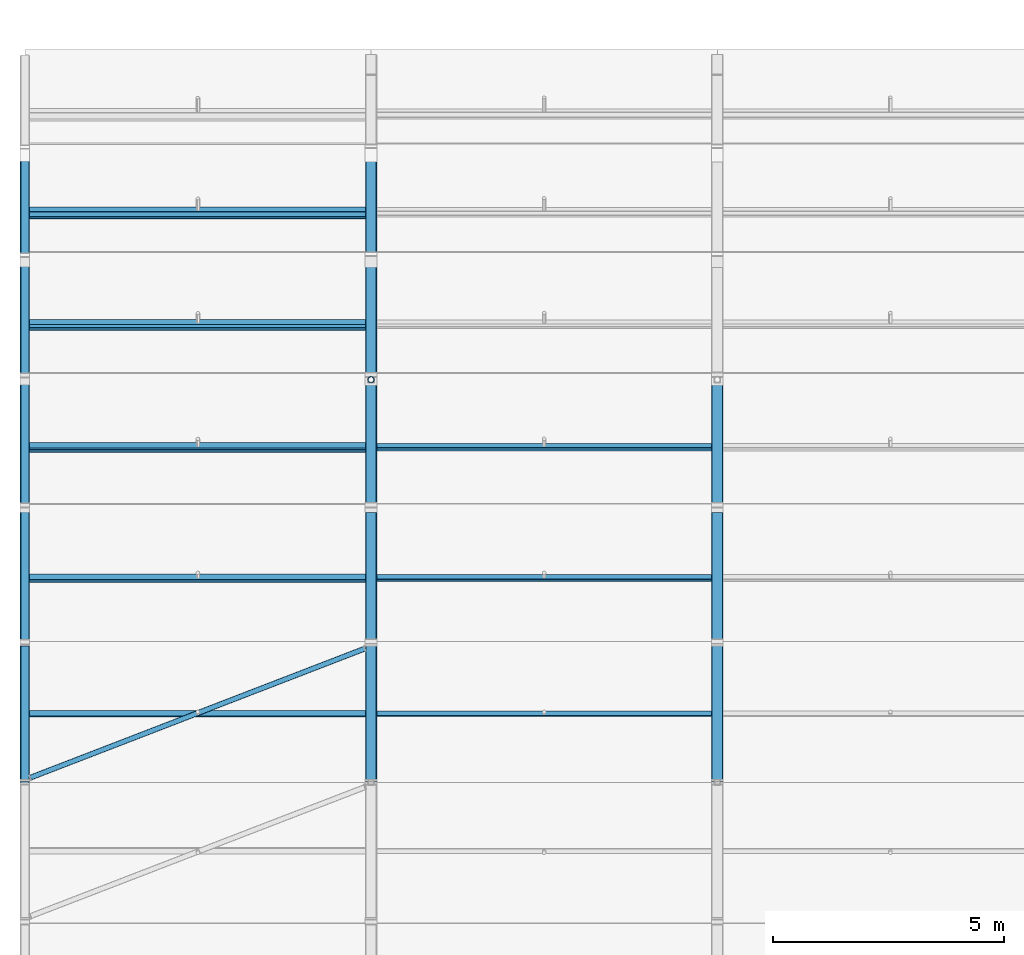
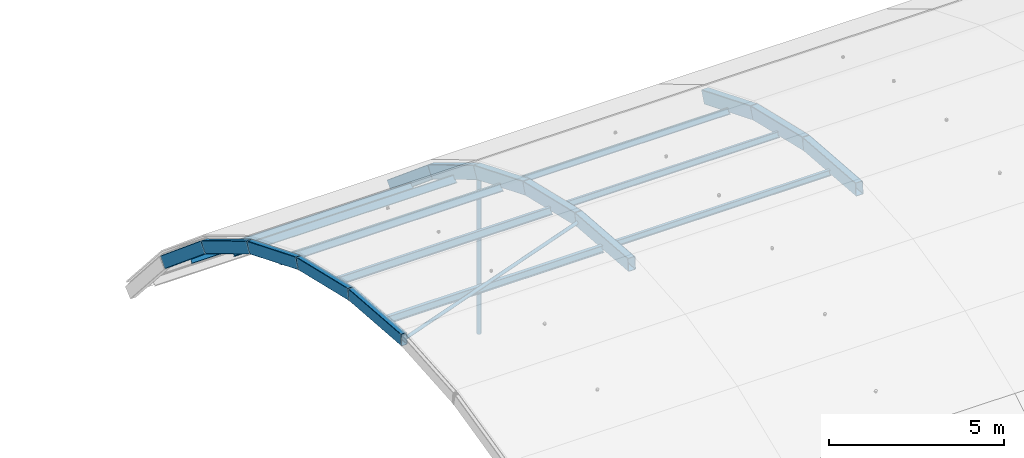
# One storey, part 15 of 77: 13 beams, 10 members.
"""IFC4 building model written with IfcOpenShell, lengths in metres."""

from ifc_helpers import new_model, si_unit, direction, frame, origin, origin_2d, place, context, subcontext, project, spatial, hollow_rectangle, hollow_circle, i_section, extrude, material, material_profile, profile_set, type_object, element, save


model = new_model("IFC4")

# Units and contexts
model_context = context("Model", 3, precision=1e-05, world=origin(), true_north=direction((0.0, 1.0)))
body_context = subcontext(model_context, "Body", "Model", "MODEL_VIEW")
ifc_project = project(units=[si_unit("LENGTHUNIT", "METRE"), si_unit("AREAUNIT", "SQUARE_METRE"), si_unit("VOLUMEUNIT", "CUBIC_METRE"), si_unit("PLANEANGLEUNIT", "RADIAN"), si_unit("MASSUNIT", "GRAM", prefix="KILO")], contexts=[model_context])

# Site, building, storey
site_placement = place(None, origin())
site = spatial("IfcSite", under=ifc_project, at=site_placement, CompositionType="ELEMENT")
building_placement = place(site_placement, origin())
building = spatial("IfcBuilding", under=site, at=building_placement, Name="Yukiwa Park Conservatory and Herbarium", CompositionType="ELEMENT")
storey_placement = place(building_placement, frame((0.0, 0.0, 13.199951171875)))
storey = spatial("IfcBuildingStorey", under=building, at=storey_placement, Name="L03", CompositionType="ELEMENT", Elevation=13.199951171875)

# Beams
ifc_material_1 = material(Name="Steel Q355D", Category="steel")
ifc_material_profile_1 = material_profile(ifc_material_1, hollow_rectangle(XDim=0.25, YDim=0.449951171875, WallThickness=0.013916015625, InnerFilletRadius=0.013916015625, OuterFilletRadius=0.028076171875, at=origin_2d()), Name="RHS 450x250x14")
ifc_profile_set_1 = profile_set([ifc_material_profile_1], Name="Steel Q355D")
beam_type_1 = type_object("IfcBeamType", Name="BM-VLT-ARCH450", PredefinedType="BEAM", material=ifc_profile_set_1)
for number, where, z_axis, x_axis, name in (
    (1, (7.5, 15.60009765625, 3.60009765625), (0.0, 0.997015721433, -0.077198777292), (-1.0, 0.0, 0.0), "Conservatory barrel vault arch rib 2 chord 7"),
    (2, (7.5, 18.601806640625, 3.36767578125), (0.0, 0.973254208946, -0.22973080936), (-1.0, 0.0, 0.0), "Conservatory barrel vault arch rib 2 chord 8"),
    (3, (7.5, 21.531982421875, 2.676025390625), (0.0, 0.926245501683, -0.37692077498), (-1.0, 0.0, 0.0), "Conservatory barrel vault arch rib 2 chord 9"),
    (4, (7.5, 24.320556640625, 1.541259765625), (0.0, 0.857249569488, -0.514901131881), (-1.0, 0.0, 0.0), "Conservatory barrel vault arch rib 2 chord 10"),
    (5, (7.5, 26.901611328125, -0.009033203125), (0.0, 0.767782402885, -0.640710684959), (-1.0, 0.0, 0.0), "Conservatory barrel vault arch rib 2 chord 11"),
    (6, (15.0, 15.60009765625, 3.60009765625), (0.0, 0.997015721433, -0.077198777292), (-1.0, 0.0, 0.0), "Conservatory barrel vault arch rib 3 chord 7"),
    (7, (15.0, 18.601806640625, 3.36767578125), (0.0, 0.973254208946, -0.22973080936), (-1.0, 0.0, 0.0), "Conservatory barrel vault arch rib 3 chord 8"),
    (8, (15.0, 21.531982421875, 2.676025390625), (0.0, 0.926245501683, -0.37692077498), (-1.0, 0.0, 0.0), "Conservatory barrel vault arch rib 3 chord 9"),
):
    element("IfcBeam", number, at=place(storey_placement, frame(where, z_axis=z_axis, x_axis=x_axis)), inside=storey, type_object=beam_type_1, Name=name, PredefinedType="BEAM", context=body_context, shape_type="SweptSolid", body=[
        extrude(hollow_rectangle(XDim=0.25, YDim=0.449951171875, WallThickness=0.013916015625, InnerFilletRadius=0.013916015625, OuterFilletRadius=0.028076171875, at=origin_2d()), origin(), (0.0, 0.0, 1.0), 3.0107421875),
    ])
ifc_material_2 = material(Name="Steel Q355D", Category="steel")
ifc_material_profile_2 = material_profile(ifc_material_2, hollow_rectangle(XDim=0.199951171875, YDim=0.39990234375, WallThickness=0.011962890625, InnerFilletRadius=0.011962890625, OuterFilletRadius=0.02392578125, at=origin_2d()), Name="RHS 400x200x12")
ifc_profile_set_2 = profile_set([ifc_material_profile_2], Name="Steel Q355D")
beam_type_2 = type_object("IfcBeamType", Name="BM-VLT-GABLE400", PredefinedType="BEAM", material=ifc_profile_set_2)
for number, where, z_axis, x_axis, name in (
    (9, (0.0, 15.60009765625, 3.60009765625), (0.0, 0.997015721433, -0.077198777292), (-1.0, 0.0, 0.0), "Conservatory barrel vault arch rib 1 chord 7"),
    (10, (0.0, 18.601806640625, 3.36767578125), (0.0, 0.973254208946, -0.22973080936), (-1.0, 0.0, 0.0), "Conservatory barrel vault arch rib 1 chord 8"),
    (11, (0.0, 21.531982421875, 2.676025390625), (0.0, 0.926245501683, -0.37692077498), (-1.0, 0.0, 0.0), "Conservatory barrel vault arch rib 1 chord 9"),
    (12, (0.0, 24.320556640625, 1.541259765625), (0.0, 0.857249569488, -0.514901131881), (-1.0, 0.0, 0.0), "Conservatory barrel vault arch rib 1 chord 10"),
    (13, (0.0, 26.901611328125, -0.009033203125), (0.0, 0.767782402885, -0.640710684959), (-1.0, 0.0, 0.0), "Conservatory barrel vault arch rib 1 chord 11"),
):
    element("IfcBeam", number, at=place(storey_placement, frame(where, z_axis=z_axis, x_axis=x_axis)), inside=storey, type_object=beam_type_2, Name=name, PredefinedType="BEAM", context=body_context, shape_type="SweptSolid", body=[
        extrude(hollow_rectangle(XDim=0.199951171875, YDim=0.39990234375, WallThickness=0.011962890625, InnerFilletRadius=0.011962890625, OuterFilletRadius=0.02392578125, at=origin_2d()), origin(), (0.0, 0.0, 1.0), 3.0107421875),
    ])

# Members
ifc_material_3 = material(Name="Steel Q355D", Category="steel")
ifc_material_profile_3 = material_profile(ifc_material_3, i_section(OverallWidth=0.10009765625, OverallDepth=0.199951171875, WebThickness=0.005615234375, FlangeThickness=0.008056640625, FilletRadius=0.010986328125, at=origin_2d()), Name="HN 200x100x5.5x8")
ifc_profile_set_3 = profile_set([ifc_material_profile_3], Name="Steel Q355D")
member_type_1 = type_object("IfcMemberType", Name="MB-VLT-PURL200", PredefinedType="PURLIN", material=ifc_profile_set_3)
for number, where, z_axis, x_axis, name in (
    (14, (7.5849609375, 17.087158203125, 3.308349609375), (1.0, 0.0, 0.0), (0.0, 0.997015814894, -0.077197570239), "Conservatory vault longitudinal purlin 2.7"),
    (15, (7.5849609375, 20.0263671875, 2.850341796875), (1.0, 0.0, 0.0), (0.0, 0.973249092076, -0.22975248589), "Conservatory vault longitudinal purlin 2.8"),
    (16, (7.5849609375, 22.85986328125, 1.945556640625), (1.0, 0.0, 0.0), (0.0, 0.926282194237, -0.376830594086), "Conservatory vault longitudinal purlin 2.9"),
):
    element("IfcMember", number, at=place(storey_placement, frame(where, z_axis=z_axis, x_axis=x_axis)), inside=storey, type_object=member_type_1, Name=name, PredefinedType="PURLIN", context=body_context, shape_type="SweptSolid", body=[
        extrude(i_section(OverallWidth=0.10009765625, OverallDepth=0.199951171875, WebThickness=0.005615234375, FlangeThickness=0.008056640625, FilletRadius=0.010986328125, at=origin_2d()), origin(), (0.0, 0.0, 1.0), 7.330078125),
    ])
ifc_material_4 = material(Name="Steel Q355D", Category="steel")
ifc_material_profile_4 = material_profile(ifc_material_4, i_section(OverallWidth=0.1240234375, OverallDepth=0.248046875, WebThickness=0.0048828125, FlangeThickness=0.008056640625, FilletRadius=0.011962890625, at=origin_2d()), Name="HN 248x124x5x8")
ifc_profile_set_4 = profile_set([ifc_material_profile_4], Name="Steel Q355D")
member_type_2 = type_object("IfcMemberType", Name="MB-VLT-PURL248", PredefinedType="PURLIN", material=ifc_profile_set_4)
for number, where, z_axis, x_axis, name in (
    (17, (0.0849609375, 17.08544921875, 3.284423828125), (1.0, 0.0, 0.0), (0.0, 0.997015814894, -0.077197570239), "Conservatory vault longitudinal purlin 1.7"),
    (18, (0.0849609375, 20.020751953125, 2.8271484375), (1.0, 0.0, 0.0), (0.0, 0.973249092076, -0.22975248589), "Conservatory vault longitudinal purlin 1.8"),
    (19, (0.0849609375, 22.850830078125, 1.92333984375), (1.0, 0.0, 0.0), (0.0, 0.926282194237, -0.376830594086), "Conservatory vault longitudinal purlin 1.9"),
    (20, (0.0849609375, 25.508056640625, 0.5947265625), (1.0, 0.0, 0.0), (0.0, 0.857233812968, -0.514927363717), "Conservatory vault longitudinal purlin 1.10"),
    (21, (0.0849609375, 27.92919921875, -1.126953125), (1.0, 0.0, 0.0), (0.0, 0.767751470285, -0.640747750582), "Conservatory vault longitudinal purlin 1.11"),
):
    element("IfcMember", number, at=place(storey_placement, frame(where, z_axis=z_axis, x_axis=x_axis)), inside=storey, type_object=member_type_2, Name=name, PredefinedType="PURLIN", context=body_context, shape_type="SweptSolid", body=[
        extrude(i_section(OverallWidth=0.1240234375, OverallDepth=0.248046875, WebThickness=0.0048828125, FlangeThickness=0.008056640625, FilletRadius=0.011962890625, at=origin_2d()), origin(), (0.0, 0.0, 1.0), 7.330078125),
    ])
ifc_material_5 = material(Name="Steel Q355D", Category="steel")
ifc_material_profile_5 = material_profile(ifc_material_5, hollow_circle(Radius=0.06982421875, WallThickness=0.008056640625, at=origin_2d()), Name="CHS 139.7x8")
ifc_profile_set_5 = profile_set([ifc_material_profile_5], Name="Steel Q355D")
member_type_3 = type_object("IfcMemberType", Name="MB-VLT-STRUT140", PredefinedType="STRUT", material=ifc_profile_set_5)
member_1_placement = place(storey_placement, frame((7.5, 24.320556640625, -4.095947265625), z_axis=(0.0, 0.0, 1.0), x_axis=(1.0, 0.0, 0.0)))
element("IfcMember", 22, at=member_1_placement, inside=storey, type_object=member_type_3, Name="Conservatory vault bowstring hanger 2.9", PredefinedType="STRUT", context=body_context, shape_type="SweptSolid", body=[
    extrude(hollow_circle(Radius=0.06982421875, WallThickness=0.008056640625, at=origin_2d()), origin(), (0.0, 0.0, 1.0), 5.42236328125),
])
ifc_material_6 = material(Name="Steel Q355D", Category="steel")
ifc_material_profile_6 = material_profile(ifc_material_6, hollow_circle(Radius=0.05712890625, WallThickness=0.006103515625, at=origin_2d()), Name="CHS 114.3x6")
ifc_profile_set_6 = profile_set([ifc_material_profile_6], Name="Steel Q355D")
member_type_4 = type_object("IfcMemberType", Name="MB-VLT-WBRACE114-EXT", PredefinedType="BRACE", material=ifc_profile_set_6)
member_2_placement = place(storey_placement, frame((0.1201171875, 15.699951171875, 3.56005859375), z_axis=(0.932518368986, 0.359886360051, -0.029854637049), x_axis=(-0.360046850583, 0.932934223504, 0.0)))
element("IfcMember", 23, at=member_2_placement, inside=storey, type_object=member_type_4, Name="Conservatory vault wind brace 1.6", PredefinedType="BRACE", context=body_context, shape_type="SweptSolid", body=[
    extrude(hollow_circle(Radius=0.05712890625, WallThickness=0.006103515625, at=origin_2d()), origin(), (0.0, 0.0, 1.0), 7.78515625),
])

save(model, "model.ifc")
